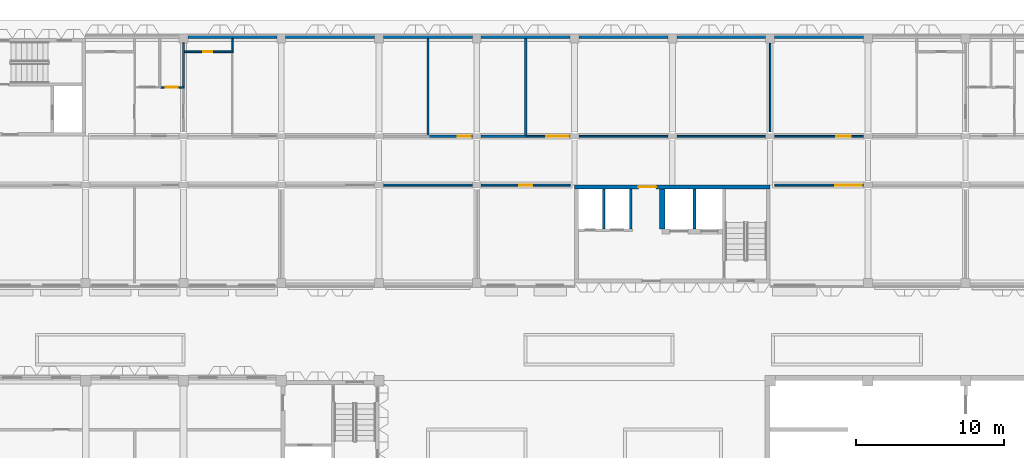
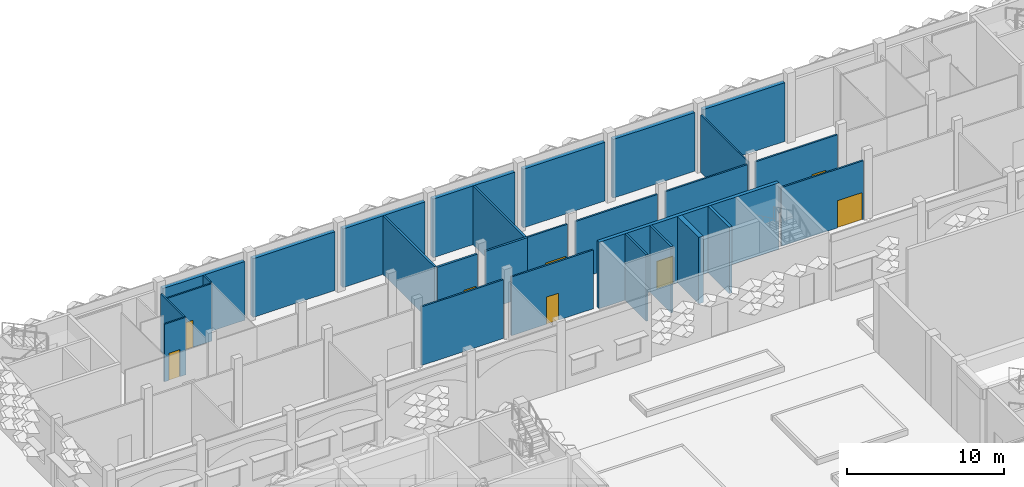
# One storey, part 39 of 85: 28 walls, 8 doors, 8 openings.
"""IFC4 building model written with IfcOpenShell, lengths in metres."""

from ifc_helpers import new_model, si_unit, direction, frame, frame_2d, origin, place, context, subcontext, project, spatial, rectangle, extrude, material, layer, layer_set, type_object, element, fill, save


model = new_model("IFC4")

# Units and contexts
model_context = context("Model", 3, precision=1e-05, world=origin(), true_north=direction((0.0, 1.0)))
body_context = subcontext(model_context, "Body", "Model", "MODEL_VIEW")
ifc_project = project(units=[si_unit("LENGTHUNIT", "METRE"), si_unit("AREAUNIT", "SQUARE_METRE"), si_unit("VOLUMEUNIT", "CUBIC_METRE"), si_unit("PLANEANGLEUNIT", "RADIAN"), si_unit("MASSUNIT", "GRAM", prefix="KILO")], contexts=[model_context])

# Site, building, storey
site_placement = place(None, origin())
site = spatial("IfcSite", under=ifc_project, at=site_placement, CompositionType="ELEMENT")
building_placement = place(site_placement, origin())
building = spatial("IfcBuilding", under=site, at=building_placement, Name="Lantern Court Research Institute", CompositionType="ELEMENT")
storey_placement = place(building_placement, origin())
storey = spatial("IfcBuildingStorey", under=building, at=storey_placement, Name="L00", CompositionType="ELEMENT", Elevation=0.0)

# Wall, opening, door
ifc_material_1 = material(Name="Gypsum board on metal studs")
ifc_layer_1 = layer(ifc_material_1, 0.14990234375)
ifc_layer_set_1 = layer_set([ifc_layer_1], Name="Gypsum board on metal studs")
wall_type_1 = type_object("IfcWallType", Name="Fire partition 150 mm EI 60", PredefinedType="PARTITIONING", material=ifc_layer_set_1)
wall_1_placement = place(storey_placement, frame((29.77490234375, 92.39990234375, 0.0), z_axis=(0.0, 0.0, 1.0), x_axis=(1.0, 0.0, 0.0)))
wall_1 = element("IfcWall", 1, at=wall_1_placement, inside=storey, type_object=wall_type_1, Name="Wall V6-L00-017", PredefinedType="PARTITIONING", context=body_context, shape_type="SweptSolid", body=[
    extrude(rectangle(XDim=2.925048828125, YDim=0.14990234375, at=frame_2d((1.46240234375, 0.0))), origin(), (0.0, 0.0, 1.0), 4.550048828125),
])
opening_1_placement = place(wall_1_placement, frame((1.925048828125, 0.0, 0.0)))
opening_1 = element("IfcOpeningElement", 2, at=opening_1_placement, cuts=wall_1, Name="Opening D6009", PredefinedType="OPENING", context=body_context, shape_type="SweptSolid", body=[
    extrude(rectangle(XDim=0.89990234375, YDim=2.10009765625, at=frame_2d((0.449951171875, 1.050048828125))), frame((0.0, 0.0849609375, 0.0), z_axis=(0.0, -1.0, 0.0), x_axis=(1.0, 0.0, 0.0)), (0.0, 0.0, 1.0), 0.169921875),
])
ifc_material_2 = material(Name="Coated metal door leaf")
door_type_1 = type_object("IfcDoorType", Name="Door 900 x 2100 store FD60", OperationType="NOTDEFINED", PredefinedType="DOOR", material=ifc_material_2)
door_1_placement = place(opening_1_placement, origin())
door_1 = element("IfcDoor", 3, at=door_1_placement, inside=storey, type_object=door_type_1, Name="Door D6009", OperationType="SINGLE_SWING_LEFT", OverallHeight=2.10009765625, OverallWidth=0.89990234375, PredefinedType="DOOR", context=body_context, shape_type="SweptSolid", body=[
    extrude(rectangle(XDim=0.89990234375, YDim=2.10009765625, at=frame_2d((0.449951171875, 1.050048828125))), frame((0.0, 0.02490234375, 0.0), z_axis=(0.0, -1.0, 0.0), x_axis=(1.0, 0.0, 0.0)), (0.0, 0.0, 1.0), 0.050048828125),
])
fill(opening_1, door_1)

# Walls
wall_2_placement = place(storey_placement, frame((33.300048828125, 92.39990234375, 0.0), z_axis=(0.0, 0.0, 1.0), x_axis=(1.0, 0.0, 0.0)))
element("IfcWall", 4, at=wall_2_placement, inside=storey, type_object=wall_type_1, Name="Wall V6-L00-018", PredefinedType="PARTITIONING", context=body_context, shape_type="SweptSolid", body=[
    extrude(rectangle(XDim=3.074951171875, YDim=0.14990234375, at=frame_2d((1.53759765625, 0.0))), origin(), (0.0, 0.0, 1.0), 4.550048828125),
])
for number, where, z_axis, x_axis, name in (
    (5, (29.699951171875, 92.47509765625, 0.0), (0.0, 0.0, 1.0), (0.0, 1.0, 0.0), "Wall V6-L00-043"),
    (6, (36.300048828125, 92.47509765625, 0.0), (0.0, 0.0, 1.0), (0.0, 1.0, 0.0), "Wall V6-L00-045"),
):
    element("IfcWall", number, at=place(storey_placement, frame(where, z_axis=z_axis, x_axis=x_axis)), inside=storey, type_object=wall_type_1, Name=name, PredefinedType="PARTITIONING", context=body_context, shape_type="SweptSolid", body=[
        extrude(rectangle(XDim=6.52490234375, YDim=0.14990234375, at=frame_2d((3.262451171875, 0.0))), origin(), (0.0, 0.0, 1.0), 4.550048828125),
    ])
ifc_material_3 = material(Name="Gypsum board on metal studs")
ifc_layer_2 = layer(ifc_material_3, 0.10009765625)
ifc_layer_set_2 = layer_set([ifc_layer_2], Name="Gypsum board on metal studs")
wall_type_2 = type_object("IfcWallType", Name="Partition 100 mm", PredefinedType="PARTITIONING", material=ifc_layer_set_2)
wall_3_placement = place(storey_placement, frame((52.800048828125, 92.699951171875, 0.0), z_axis=(0.0, 0.0, 1.0), x_axis=(0.0, 1.0, 0.0)))
element("IfcWall", 7, at=wall_3_placement, inside=storey, type_object=wall_type_2, Name="Wall V6-L00-046", PredefinedType="PARTITIONING", context=body_context, shape_type="SweptSolid", body=[
    extrude(rectangle(XDim=6.0, YDim=0.10009765625, at=frame_2d((3.0, 0.0))), origin(), (0.0, 0.0, 1.0), 4.449951171875),
])
ifc_material_4 = material(Name="Concrete C30/37", Category="concrete")
ifc_layer_3 = layer(ifc_material_4, 0.300048828125)
ifc_layer_set_3 = layer_set([ifc_layer_3], Name="Concrete C30/37")
wall_type_3 = type_object("IfcWallType", Name="Party wall 300 concrete EI 120", PredefinedType="STANDARD", material=ifc_layer_set_3)
for number, where, z_axis, x_axis, name in (
    (8, (13.5, 99.14990234375, 0.0), (0.0, 0.0, 1.0), (1.0, 0.0, 0.0), "Exterior wall EW052"),
    (9, (20.10009765625, 99.14990234375, 0.0), (0.0, 0.0, 1.0), (1.0, 0.0, 0.0), "Exterior wall EW053"),
    (10, (26.699951171875, 99.14990234375, 0.0), (0.0, 0.0, 1.0), (1.0, 0.0, 0.0), "Exterior wall EW054"),
    (11, (33.300048828125, 99.14990234375, 0.0), (0.0, 0.0, 1.0), (1.0, 0.0, 0.0), "Exterior wall EW055"),
    (12, (39.89990234375, 99.14990234375, 0.0), (0.0, 0.0, 1.0), (1.0, 0.0, 0.0), "Exterior wall EW056"),
    (13, (46.5, 99.14990234375, 0.0), (0.0, 0.0, 1.0), (1.0, 0.0, 0.0), "Exterior wall EW057"),
    (14, (53.10009765625, 99.14990234375, 0.0), (0.0, 0.0, 1.0), (1.0, 0.0, 0.0), "Exterior wall EW058"),
):
    element("IfcWall", number, at=place(storey_placement, frame(where, z_axis=z_axis, x_axis=x_axis)), inside=storey, type_object=wall_type_3, Name=name, PredefinedType="STANDARD", context=body_context, shape_type="SweptSolid", body=[
        extrude(rectangle(XDim=6.0, YDim=0.300048828125, at=frame_2d((3.0, 0.0))), origin(), (0.0, 0.0, 1.0), 4.550048828125),
    ])
ifc_material_5 = material(Name="Gypsum board on metal studs")
ifc_layer_4 = layer(ifc_material_5, 0.125)
ifc_layer_set_4 = layer_set([ifc_layer_4], Name="Gypsum board on metal studs")
wall_type_4 = type_object("IfcWallType", Name="Protected corridor partition 125 mm EI 30", PredefinedType="PARTITIONING", material=ifc_layer_set_4)
wall_4_placement = place(storey_placement, frame((26.699951171875, 89.10009765625, 0.0), z_axis=(0.0, 0.0, 1.0), x_axis=(1.0, 0.0, 0.0)))
element("IfcWall", 15, at=wall_4_placement, inside=storey, type_object=wall_type_4, Name="Wall V6-L00-005", PredefinedType="PARTITIONING", context=body_context, shape_type="SweptSolid", body=[
    extrude(rectangle(XDim=6.0, YDim=0.125, at=frame_2d((3.0, 0.0))), origin(), (0.0, 0.0, 1.0), 4.550048828125),
])

# Wall, opening, door
wall_5_placement = place(storey_placement, frame((39.300048828125, 89.10009765625, 0.0), z_axis=(0.0, 0.0, 1.0), x_axis=(-1.0, 0.0, 0.0)))
wall_5 = element("IfcWall", 16, at=wall_5_placement, inside=storey, type_object=wall_type_4, Name="Wall V6-L00-006", PredefinedType="PARTITIONING", context=body_context, shape_type="SweptSolid", body=[
    extrude(rectangle(XDim=6.0, YDim=0.125, at=frame_2d((3.0, 0.0))), origin(), (0.0, 0.0, 1.0), 4.550048828125),
])
opening_2_placement = place(wall_5_placement, frame((2.550048828125, 0.0, 0.0)))
opening_2 = element("IfcOpeningElement", 17, at=opening_2_placement, cuts=wall_5, Name="Opening D6004", PredefinedType="OPENING", context=body_context, shape_type="SweptSolid", body=[
    extrude(rectangle(XDim=0.89990234375, YDim=2.10009765625, at=frame_2d((0.449951171875, 1.050048828125))), frame((0.0, 0.072509765625, 0.0), z_axis=(0.0, -1.0, 0.0), x_axis=(1.0, 0.0, 0.0)), (0.0, 0.0, 1.0), 0.14501953125),
])
door_2_placement = place(opening_2_placement, origin())
door_2 = element("IfcDoor", 18, at=door_2_placement, inside=storey, type_object=door_type_1, Name="Door D6004", OperationType="SINGLE_SWING_RIGHT", OverallHeight=2.10009765625, OverallWidth=0.89990234375, PredefinedType="DOOR", context=body_context, shape_type="SweptSolid", body=[
    extrude(rectangle(XDim=0.89990234375, YDim=2.10009765625, at=frame_2d((0.449951171875, 1.050048828125))), frame((0.0, 0.02490234375, 0.0), z_axis=(0.0, -1.0, 0.0), x_axis=(1.0, 0.0, 0.0)), (0.0, 0.0, 1.0), 0.050048828125),
])
fill(opening_2, door_2)

wall_6_placement = place(storey_placement, frame((53.10009765625, 89.10009765625, 0.0), z_axis=(0.0, 0.0, 1.0), x_axis=(1.0, 0.0, 0.0)))
wall_6 = element("IfcWall", 19, at=wall_6_placement, inside=storey, type_object=wall_type_4, Name="Wall V6-L00-007", PredefinedType="PARTITIONING", context=body_context, shape_type="SweptSolid", body=[
    extrude(rectangle(XDim=6.0, YDim=0.125, at=frame_2d((3.0, 0.0))), origin(), (0.0, 0.0, 1.0), 4.550048828125),
])
opening_3_placement = place(wall_6_placement, frame((4.10009765625, 0.0, 0.0)))
opening_3 = element("IfcOpeningElement", 20, at=opening_3_placement, cuts=wall_6, Name="Opening D6005", PredefinedType="OPENING", context=body_context, shape_type="SweptSolid", body=[
    extrude(rectangle(XDim=1.800048828125, YDim=2.10009765625, at=frame_2d((0.89990234375, 1.050048828125))), frame((0.0, 0.072509765625, 0.0), z_axis=(0.0, -1.0, 0.0), x_axis=(1.0, 0.0, 0.0)), (0.0, 0.0, 1.0), 0.14501953125),
])
ifc_material_6 = material(Name="Timber veneered door leaf", Category="wood")
door_type_2 = type_object("IfcDoorType", Name="Door 1800 x 2100 reception pair FD30S", OperationType="DOUBLE_DOOR_SINGLE_SWING", PredefinedType="DOOR", material=ifc_material_6)
door_3_placement = place(opening_3_placement, origin())
door_3 = element("IfcDoor", 21, at=door_3_placement, inside=storey, type_object=door_type_2, Name="Door D6005", OperationType="DOUBLE_DOOR_SINGLE_SWING", OverallHeight=2.10009765625, OverallWidth=1.800048828125, PredefinedType="DOOR", context=body_context, shape_type="SweptSolid", body=[
    extrude(rectangle(XDim=1.800048828125, YDim=2.10009765625, at=frame_2d((0.89990234375, 1.050048828125))), frame((0.0, 0.02490234375, 0.0), z_axis=(0.0, -1.0, 0.0), x_axis=(1.0, 0.0, 0.0)), (0.0, 0.0, 1.0), 0.050048828125),
])
fill(opening_3, door_3)

wall_7_placement = place(storey_placement, frame((36.375, 92.39990234375, 0.0), z_axis=(0.0, 0.0, 1.0), x_axis=(1.0, 0.0, 0.0)))
wall_7 = element("IfcWall", 22, at=wall_7_placement, inside=storey, type_object=wall_type_4, Name="Wall V6-L00-019", PredefinedType="PARTITIONING", context=body_context, shape_type="SweptSolid", body=[
    extrude(rectangle(XDim=2.925048828125, YDim=0.125, at=frame_2d((1.46240234375, 0.0))), origin(), (0.0, 0.0, 1.0), 4.550048828125),
])
opening_4_placement = place(wall_7_placement, frame((1.324951171875, 0.0, 0.0)))
opening_4 = element("IfcOpeningElement", 23, at=opening_4_placement, cuts=wall_7, Name="Opening D6010", PredefinedType="OPENING", context=body_context, shape_type="SweptSolid", body=[
    extrude(rectangle(XDim=1.5, YDim=2.10009765625, at=frame_2d((0.75, 1.050048828125))), frame((0.0, 0.072509765625, 0.0), z_axis=(0.0, -1.0, 0.0), x_axis=(1.0, 0.0, 0.0)), (0.0, 0.0, 1.0), 0.14501953125),
])
ifc_material_7 = material(Name="Timber veneered door leaf", Category="wood")
door_type_3 = type_object("IfcDoorType", Name="Door 1500 x 2100 reading room pair FD30S", OperationType="DOUBLE_DOOR_SINGLE_SWING", PredefinedType="DOOR", material=ifc_material_7)
door_4_placement = place(opening_4_placement, origin())
door_4 = element("IfcDoor", 24, at=door_4_placement, inside=storey, type_object=door_type_3, Name="Door D6010", OperationType="DOUBLE_DOOR_SINGLE_SWING", OverallHeight=2.10009765625, OverallWidth=1.5, PredefinedType="DOOR", context=body_context, shape_type="SweptSolid", body=[
    extrude(rectangle(XDim=1.5, YDim=2.10009765625, at=frame_2d((0.75, 1.050048828125))), frame((0.0, 0.02490234375, 0.0), z_axis=(0.0, -1.0, 0.0), x_axis=(1.0, 0.0, 0.0)), (0.0, 0.0, 1.0), 0.050048828125),
])
fill(opening_4, door_4)

# Walls
for number, where, z_axis, x_axis, name in (
    (25, (39.89990234375, 92.39990234375, 0.0), (0.0, 0.0, 1.0), (1.0, 0.0, 0.0), "Wall V6-L00-020"),
    (26, (46.5, 92.39990234375, 0.0), (0.0, 0.0, 1.0), (1.0, 0.0, 0.0), "Wall V6-L00-021"),
):
    element("IfcWall", number, at=place(storey_placement, frame(where, z_axis=z_axis, x_axis=x_axis)), inside=storey, type_object=wall_type_4, Name=name, PredefinedType="PARTITIONING", context=body_context, shape_type="SweptSolid", body=[
        extrude(rectangle(XDim=6.0, YDim=0.125, at=frame_2d((3.0, 0.0))), origin(), (0.0, 0.0, 1.0), 4.550048828125),
    ])

# Wall, opening, door
wall_8_placement = place(storey_placement, frame((53.10009765625, 92.39990234375, 0.0), z_axis=(0.0, 0.0, 1.0), x_axis=(1.0, 0.0, 0.0)))
wall_8 = element("IfcWall", 27, at=wall_8_placement, inside=storey, type_object=wall_type_4, Name="Wall V6-L00-022", PredefinedType="PARTITIONING", context=body_context, shape_type="SweptSolid", body=[
    extrude(rectangle(XDim=6.0, YDim=0.125, at=frame_2d((3.0, 0.0))), origin(), (0.0, 0.0, 1.0), 4.550048828125),
])
opening_5_placement = place(wall_8_placement, frame((4.14990234375, 0.0, 0.0)))
opening_5 = element("IfcOpeningElement", 28, at=opening_5_placement, cuts=wall_8, Name="Opening D6011", PredefinedType="OPENING", context=body_context, shape_type="SweptSolid", body=[
    extrude(rectangle(XDim=1.0, YDim=2.10009765625, at=frame_2d((0.5, 1.050048828125))), frame((0.0, 0.072509765625, 0.0), z_axis=(0.0, -1.0, 0.0), x_axis=(1.0, 0.0, 0.0)), (0.0, 0.0, 1.0), 0.14501953125),
])
ifc_material_8 = material(Name="Timber veneered door leaf", Category="wood")
door_type_4 = type_object("IfcDoorType", Name="Door 1000 x 2100 meeting room FD30S", OperationType="NOTDEFINED", PredefinedType="DOOR", material=ifc_material_8)
door_5_placement = place(opening_5_placement, origin())
door_5 = element("IfcDoor", 29, at=door_5_placement, inside=storey, type_object=door_type_4, Name="Door D6011", OperationType="SINGLE_SWING_LEFT", OverallHeight=2.10009765625, OverallWidth=1.0, PredefinedType="DOOR", context=body_context, shape_type="SweptSolid", body=[
    extrude(rectangle(XDim=1.0, YDim=2.10009765625, at=frame_2d((0.5, 1.050048828125))), frame((0.0, 0.02490234375, 0.0), z_axis=(0.0, -1.0, 0.0), x_axis=(1.0, 0.0, 0.0)), (0.0, 0.0, 1.0), 0.050048828125),
])
fill(opening_5, door_5)

ifc_material_9 = material(Name="Concrete C40/50", Category="concrete")
ifc_layer_5 = layer(ifc_material_9, 0.25)
ifc_layer_set_5 = layer_set([ifc_layer_5], Name="Concrete C40/50")
wall_type_5 = type_object("IfcWallType", Name="RC core wall 250", PredefinedType="SHEAR", material=ifc_layer_set_5)
wall_9_placement = place(storey_placement, frame((52.800048828125, 88.97509765625, 0.0), z_axis=(0.0, 0.0, 1.0), x_axis=(-1.0, 0.0, 0.0)))
wall_9 = element("IfcWall", 30, at=wall_9_placement, inside=storey, type_object=wall_type_5, Name="North wall of core WC-M", PredefinedType="SHEAR", context=body_context, shape_type="SweptSolid", body=[
    extrude(rectangle(XDim=13.199951171875, YDim=0.25, at=frame_2d((6.60009765625, 0.0))), origin(), (0.0, 0.0, 1.0), 5.14990234375),
])
opening_6_placement = place(wall_9_placement, frame((7.699951171875, 0.0, 0.0)))
opening_6 = element("IfcOpeningElement", 31, at=opening_6_placement, cuts=wall_9, Name="Opening D7222", PredefinedType="OPENING", context=body_context, shape_type="SweptSolid", body=[
    extrude(rectangle(XDim=1.199951171875, YDim=2.10009765625, at=frame_2d((0.60009765625, 1.050048828125))), frame((0.0, 0.135009765625, 0.0), z_axis=(0.0, -1.0, 0.0), x_axis=(1.0, 0.0, 0.0)), (0.0, 0.0, 1.0), 0.27001953125),
])
ifc_material_10 = material(Name="Steel fire door leaf with smoke seals", Category="steel")
door_type_5 = type_object("IfcDoorType", Name="Door 1200 x 2100 fire rated FD60S", OperationType="NOTDEFINED", PredefinedType="DOOR", material=ifc_material_10)
door_6_placement = place(opening_6_placement, origin())
door_6 = element("IfcDoor", 32, at=door_6_placement, inside=storey, type_object=door_type_5, Name="Lobby door", OperationType="SINGLE_SWING_RIGHT", OverallHeight=2.10009765625, OverallWidth=1.199951171875, PredefinedType="DOOR", context=body_context, shape_type="SweptSolid", body=[
    extrude(rectangle(XDim=1.199951171875, YDim=2.10009765625, at=frame_2d((0.60009765625, 1.050048828125))), frame((0.0, 0.02490234375, 0.0), z_axis=(0.0, -1.0, 0.0), x_axis=(1.0, 0.0, 0.0)), (0.0, 0.0, 1.0), 0.050048828125),
])
fill(opening_6, door_6)

# Walls
ifc_material_11 = material(Name="Concrete C40/50", Category="concrete")
ifc_layer_6 = layer(ifc_material_11, 0.14990234375)
ifc_layer_set_6 = layer_set([ifc_layer_6], Name="Concrete C40/50")
wall_type_6 = type_object("IfcWallType", Name="RC shaft wall 150", PredefinedType="SHEAR", material=ifc_layer_set_6)
for number, where, z_axis, x_axis, name in (
    (33, (43.39990234375, 88.85009765625, 0.0), (0.0, 0.0, 1.0), (0.0, -1.0, 0.0), "Riser wall of core WC-M"),
    (34, (41.574951171875, 88.85009765625, 0.0), (0.0, 0.0, 1.0), (0.0, -1.0, 0.0), "Riser wall of core WC-M"),
):
    element("IfcWall", number, at=place(storey_placement, frame(where, z_axis=z_axis, x_axis=x_axis)), inside=storey, type_object=wall_type_6, Name=name, PredefinedType="SHEAR", context=body_context, shape_type="SweptSolid", body=[
        extrude(rectangle(XDim=2.7001953125, YDim=0.14990234375, at=frame_2d((1.35009765625, 0.0))), origin(), (0.0, 0.0, 1.0), 5.14990234375),
    ])
ifc_material_12 = material(Name="Concrete C40/50", Category="concrete")
ifc_layer_7 = layer(ifc_material_12, 0.199951171875)
ifc_layer_set_7 = layer_set([ifc_layer_7], Name="Concrete C40/50")
wall_type_7 = type_object("IfcWallType", Name="RC shaft wall 200", PredefinedType="SHEAR", material=ifc_layer_set_7)
wall_10_placement = place(storey_placement, frame((47.699951171875, 88.85009765625, 0.0), z_axis=(0.0, 0.0, 1.0), x_axis=(0.0, -1.0, 0.0)))
element("IfcWall", 35, at=wall_10_placement, inside=storey, type_object=wall_type_7, Name="Lift shaft wall of core WC-M", PredefinedType="SHEAR", context=body_context, shape_type="SweptSolid", body=[
    extrude(rectangle(XDim=2.7001953125, YDim=0.199951171875, at=frame_2d((1.35009765625, 0.0))), origin(), (0.0, 0.0, 1.0), 5.14990234375),
])
ifc_material_13 = material(Name="Concrete C40/50", Category="concrete")
ifc_layer_8 = layer(ifc_material_13, 0.35009765625)
ifc_layer_set_8 = layer_set([ifc_layer_8], Name="Concrete C40/50")
wall_type_8 = type_object("IfcWallType", Name="RC shaft wall 350", PredefinedType="SHEAR", material=ifc_layer_set_8)
wall_11_placement = place(storey_placement, frame((45.52490234375, 88.85009765625, 0.0), z_axis=(0.0, 0.0, 1.0), x_axis=(0.0, -1.0, 0.0)))
element("IfcWall", 36, at=wall_11_placement, inside=storey, type_object=wall_type_8, Name="Lift shaft wall of core WC-M", PredefinedType="SHEAR", context=body_context, shape_type="SweptSolid", body=[
    extrude(rectangle(XDim=2.7001953125, YDim=0.35009765625, at=frame_2d((1.35009765625, 0.0))), origin(), (0.0, 0.0, 1.0), 5.14990234375),
])

# Wall, opening, door
ifc_material_14 = material(Name="Fire-rated gypsum board on metal studs")
ifc_layer_9 = layer(ifc_material_14, 0.110107421875)
ifc_layer_set_9 = layer_set([ifc_layer_9], Name="Fire-rated gypsum board on metal studs")
wall_type_9 = type_object("IfcWallType", Name="Riser wall 110 mm EI 60", PredefinedType="PARTITIONING", material=ifc_layer_set_9)
wall_12_placement = place(storey_placement, frame((11.655029296875, 95.699951171875, 0.0), z_axis=(0.0, 0.0, 1.0), x_axis=(1.0, 0.0, 0.0)))
wall_12 = element("IfcWall", 37, at=wall_12_placement, inside=storey, type_object=wall_type_9, Name="Wall V6-L00-027", PredefinedType="PARTITIONING", context=body_context, shape_type="SweptSolid", body=[
    extrude(rectangle(XDim=1.599853515625, YDim=0.110107421875, at=frame_2d((0.7998046875, 0.0))), origin(), (0.0, 0.0, 1.0), 4.449951171875),
])
opening_7_placement = place(wall_12_placement, frame((0.344970703125, 0.0, 0.0)))
opening_7 = element("IfcOpeningElement", 38, at=opening_7_placement, cuts=wall_12, Name="Opening D6014", PredefinedType="OPENING", context=body_context, shape_type="SweptSolid", body=[
    extrude(rectangle(XDim=0.800048828125, YDim=2.10009765625, at=frame_2d((0.39990234375, 1.050048828125))), frame((0.0, 0.06494140625, 0.0), z_axis=(0.0, -1.0, 0.0), x_axis=(1.0, 0.0, 0.0)), (0.0, 0.0, 1.0), 0.130126953125),
])
ifc_material_15 = material(Name="Coated metal door leaf")
door_type_6 = type_object("IfcDoorType", Name="Door 800 x 2100 cleaners store FD60", OperationType="NOTDEFINED", PredefinedType="DOOR", material=ifc_material_15)
door_7_placement = place(opening_7_placement, origin())
door_7 = element("IfcDoor", 39, at=door_7_placement, inside=storey, type_object=door_type_6, Name="Door D6014", OperationType="SINGLE_SWING_RIGHT", OverallHeight=2.10009765625, OverallWidth=0.800048828125, PredefinedType="DOOR", context=body_context, shape_type="SweptSolid", body=[
    extrude(rectangle(XDim=0.800048828125, YDim=2.10009765625, at=frame_2d((0.39990234375, 1.050048828125))), frame((0.0, 0.02490234375, 0.0), z_axis=(0.0, -1.0, 0.0), x_axis=(1.0, 0.0, 0.0)), (0.0, 0.0, 1.0), 0.050048828125),
])
fill(opening_7, door_7)

wall_13_placement = place(storey_placement, frame((16.554931640625, 98.10009765625, 0.0), z_axis=(0.0, 0.0, 1.0), x_axis=(-1.0, 0.0, 0.0)))
wall_13 = element("IfcWall", 40, at=wall_13_placement, inside=storey, type_object=wall_type_9, Name="Wall V6-L00-031", PredefinedType="PARTITIONING", context=body_context, shape_type="SweptSolid", body=[
    extrude(rectangle(XDim=3.300048828125, YDim=0.110107421875, at=frame_2d((1.64990234375, 0.0))), origin(), (0.0, 0.0, 1.0), 4.449951171875),
])
opening_8_placement = place(wall_13_placement, frame((1.405029296875, 0.0, 0.0)))
opening_8 = element("IfcOpeningElement", 41, at=opening_8_placement, cuts=wall_13, Name="Opening D6018", PredefinedType="OPENING", context=body_context, shape_type="SweptSolid", body=[
    extrude(rectangle(XDim=0.60009765625, YDim=2.10009765625, at=frame_2d((0.300048828125, 1.050048828125))), frame((0.0, 0.06494140625, 0.0), z_axis=(0.0, -1.0, 0.0), x_axis=(1.0, 0.0, 0.0)), (0.0, 0.0, 1.0), 0.130126953125),
])
ifc_material_16 = material(Name="Coated metal door leaf")
door_type_7 = type_object("IfcDoorType", Name="Door 600 x 2100 riser FD60", OperationType="NOTDEFINED", PredefinedType="DOOR", material=ifc_material_16)
door_8_placement = place(opening_8_placement, origin())
door_8 = element("IfcDoor", 42, at=door_8_placement, inside=storey, type_object=door_type_7, Name="Door D6018", OperationType="SINGLE_SWING_RIGHT", OverallHeight=2.10009765625, OverallWidth=0.60009765625, PredefinedType="DOOR", context=body_context, shape_type="SweptSolid", body=[
    extrude(rectangle(XDim=0.60009765625, YDim=2.10009765625, at=frame_2d((0.300048828125, 1.050048828125))), frame((0.0, 0.02490234375, 0.0), z_axis=(0.0, -1.0, 0.0), x_axis=(1.0, 0.0, 0.0)), (0.0, 0.0, 1.0), 0.050048828125),
])
fill(opening_8, door_8)

# Walls
wall_14_placement = place(storey_placement, frame((13.199951171875, 95.7548828125, 0.0), z_axis=(0.0, 0.0, 1.0), x_axis=(0.0, 1.0, 0.0)))
element("IfcWall", 43, at=wall_14_placement, inside=storey, type_object=wall_type_9, Name="Wall V6-L00-039", PredefinedType="PARTITIONING", context=body_context, shape_type="SweptSolid", body=[
    extrude(rectangle(XDim=2.945068359375, YDim=0.110107421875, at=frame_2d((1.47265625, 0.0))), origin(), (0.0, 0.0, 1.0), 4.449951171875),
])
wall_15_placement = place(storey_placement, frame((16.5, 98.155029296875, 0.0), z_axis=(0.0, 0.0, 1.0), x_axis=(0.0, 1.0, 0.0)))
element("IfcWall", 44, at=wall_15_placement, inside=storey, type_object=wall_type_9, Name="Wall V6-L00-041", PredefinedType="PARTITIONING", context=body_context, shape_type="SweptSolid", body=[
    extrude(rectangle(XDim=0.844970703125, YDim=0.110107421875, at=frame_2d((0.42236328125, 0.0))), origin(), (0.0, 0.0, 1.0), 4.550048828125),
])

save(model, "model.ifc")
